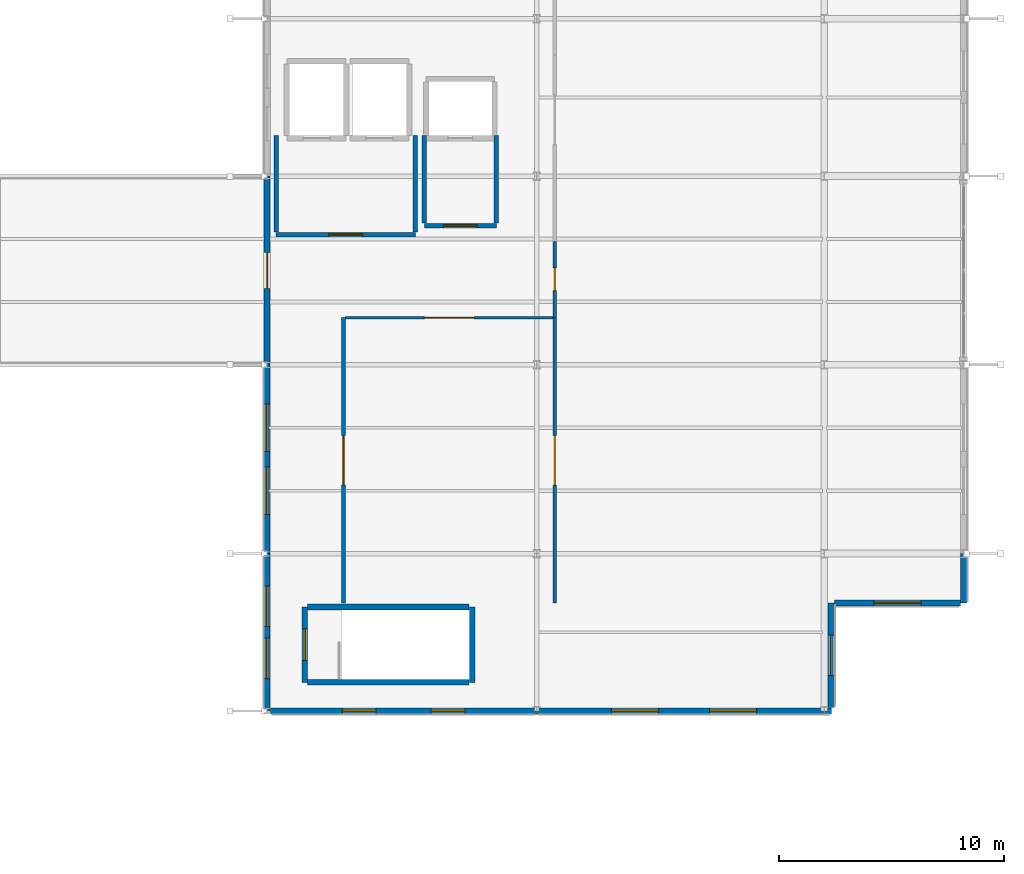
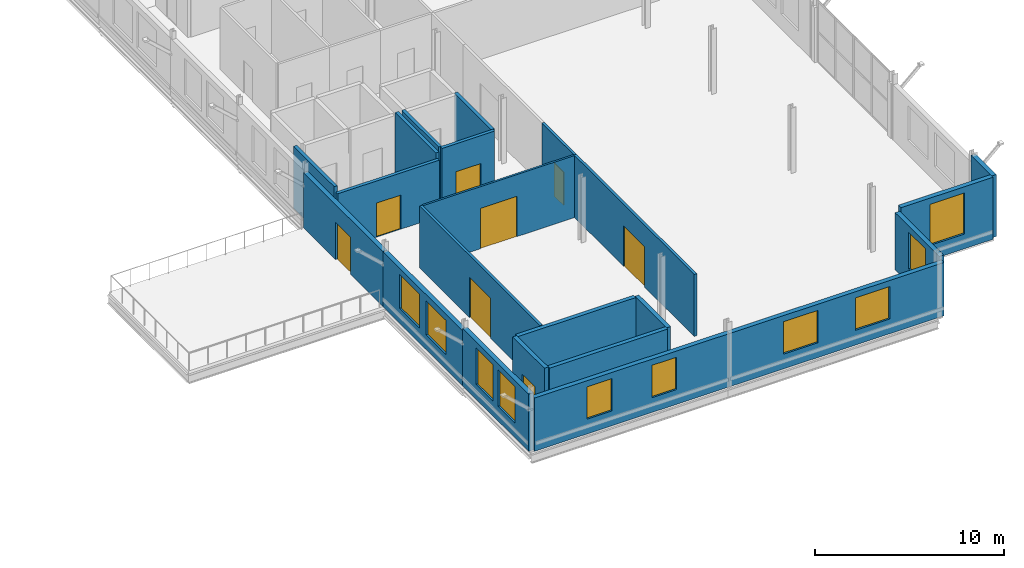
# One storey, part 20 of 25: 22 walls, 10 windows, 8 doors, 18 openings.
"""IFC4 building model written with IfcOpenShell, lengths in metres."""

from ifc_helpers import new_model, si_unit, direction, frame, frame_2d, origin, place, context, subcontext, project, spatial, rectangle, extrude, material, layer, layer_set, type_object, element, fill, save


model = new_model("IFC4")

# Units and contexts
model_context = context("Model", 3, precision=1e-05, world=origin(), true_north=direction((0.0, 1.0)))
body_context = subcontext(model_context, "Body", "Model", "MODEL_VIEW")
ifc_project = project(units=[si_unit("LENGTHUNIT", "METRE"), si_unit("AREAUNIT", "SQUARE_METRE"), si_unit("VOLUMEUNIT", "CUBIC_METRE"), si_unit("PLANEANGLEUNIT", "RADIAN"), si_unit("MASSUNIT", "GRAM", prefix="KILO")], contexts=[model_context])

# Site, building, storey
site_placement = place(None, origin())
site = spatial("IfcSite", under=ifc_project, at=site_placement, CompositionType="ELEMENT")
building_placement = place(site_placement, origin())
building = spatial("IfcBuilding", under=site, at=building_placement, Name="Vekula Escarpment Museum", CompositionType="ELEMENT")
storey_placement = place(building_placement, frame((0.0, 0.0, 26.39990234375)))
storey = spatial("IfcBuildingStorey", under=building, at=storey_placement, Name="L06", CompositionType="ELEMENT", Elevation=26.39990234375)

# Wall, opening, door
ifc_material_1 = material(Name="Concrete C35/45", Category="concrete")
ifc_layer_1 = layer(ifc_material_1, 0.25)
ifc_layer_set_1 = layer_set([ifc_layer_1], Name="Concrete C35/45")
wall_type_1 = type_object("IfcWallType", Name="WL-CORE-250", PredefinedType="SHEAR", material=ifc_layer_set_1)
wall_1_placement = place(storey_placement, frame((168.675048828125, 53.875, 0.0), z_axis=(0.0, 0.0, 1.0), x_axis=(0.0, 1.0, 0.0)))
wall_1 = element("IfcWall", 1, at=wall_1_placement, inside=storey, type_object=wall_type_1, Name="Stair Core Wall ST-02 L06 W", PredefinedType="SHEAR", context=body_context, shape_type="SweptSolid", body=[
    extrude(rectangle(XDim=3.35009765625, YDim=0.25, at=frame_2d((1.675048828125, 0.0))), origin(), (0.0, 0.0, 1.0), 4.0),
])
opening_1_placement = place(wall_1_placement, frame((0.97509765625, 0.0, 0.0)))
opening_1 = element("IfcOpeningElement", 2, at=opening_1_placement, cuts=wall_1, Name="Opening DR-FD60", PredefinedType="OPENING", context=body_context, shape_type="SweptSolid", body=[
    extrude(rectangle(XDim=1.39990234375, YDim=2.199951171875, at=frame_2d((0.699951171875, 1.10009765625))), frame((0.0, 0.135009765625, 0.0), z_axis=(0.0, -1.0, 0.0), x_axis=(1.0, 0.0, 0.0)), (0.0, 0.0, 1.0), 0.27001953125),
])
ifc_material_2 = material(Name="Fire-rated steel stair door", Category="steel")
door_type_1 = type_object("IfcDoorType", Name="DR-STAIR-1400x2200", OperationType="NOTDEFINED", PredefinedType="DOOR", material=ifc_material_2)
door_1_placement = place(opening_1_placement, origin())
door_1 = element("IfcDoor", 3, at=door_1_placement, inside=storey, type_object=door_type_1, Name="Protected Exit Stair Door ST-02 L06", OperationType="SINGLE_SWING_LEFT", OverallHeight=2.199951171875, OverallWidth=1.39990234375, PredefinedType="DOOR", context=body_context, shape_type="SweptSolid", body=[
    extrude(rectangle(XDim=1.39990234375, YDim=2.199951171875, at=frame_2d((0.699951171875, 1.10009765625))), frame((0.0, 0.02490234375, 0.0), z_axis=(0.0, -1.0, 0.0), x_axis=(1.0, 0.0, 0.0)), (0.0, 0.0, 1.0), 0.050048828125),
])
fill(opening_1, door_1)

# Walls
wall_2_placement = place(storey_placement, frame((176.125, 53.875, 0.0), z_axis=(0.0, 0.0, 1.0), x_axis=(0.0, 1.0, 0.0)))
element("IfcWall", 4, at=wall_2_placement, inside=storey, type_object=wall_type_1, Name="Stair Core Wall ST-02 L06 E", PredefinedType="SHEAR", context=body_context, shape_type="SweptSolid", body=[
    extrude(rectangle(XDim=3.35009765625, YDim=0.25, at=frame_2d((1.675048828125, 0.0))), origin(), (0.0, 0.0, 1.0), 4.0),
])
for number, where, z_axis, x_axis, name in (
    (5, (168.803955078125, 53.875, 0.0), (0.0, 0.0, 1.0), (1.0, 0.0, 0.0), "Stair Core Wall ST-02 L06 S"),
    (6, (168.803955078125, 57.22509765625, 0.0), (0.0, 0.0, 1.0), (1.0, 0.0, 0.0), "Stair Core Wall ST-02 L06 N"),
):
    element("IfcWall", number, at=place(storey_placement, frame(where, z_axis=z_axis, x_axis=x_axis)), inside=storey, type_object=wall_type_1, Name=name, PredefinedType="SHEAR", context=body_context, shape_type="SweptSolid", body=[
        extrude(rectangle(XDim=7.192138671875, YDim=0.25, at=frame_2d((3.59619140625, 0.0))), origin(), (0.0, 0.0, 1.0), 4.0),
    ])
ifc_material_3 = material(Name="Inkisi arkosic sandstone masonry", Category="masonry")
ifc_layer_2 = layer(ifc_material_3, 0.280029296875)
ifc_layer_set_2 = layer_set([ifc_layer_2], Name="Inkisi arkosic sandstone masonry")
wall_type_2 = type_object("IfcWallType", Name="WL-CUM-280", PredefinedType="SOLIDWALL", material=ifc_layer_set_2)
wall_3_placement = place(storey_placement, frame((198.0, 59.60009765625, 0.0), z_axis=(0.0, 0.0, 1.0), x_axis=(0.0, -1.0, 0.0)))
element("IfcWall", 7, at=wall_3_placement, inside=storey, type_object=wall_type_2, Name="Exterior Wall WL-EXT-L06-0905", PredefinedType="SOLIDWALL", context=body_context, shape_type="SweptSolid", body=[
    extrude(rectangle(XDim=2.2001953125, YDim=0.280029296875, at=frame_2d((1.10009765625, 0.0))), origin(), (0.0, 0.0, 1.0), 4.0),
])

# Wall, opening, door
wall_4_placement = place(storey_placement, frame((167.0, 68.0, 0.0), z_axis=(0.0, 0.0, 1.0), x_axis=(0.0, 1.0, 0.0)))
wall_4 = element("IfcWall", 8, at=wall_4_placement, inside=storey, type_object=wall_type_2, Name="Exterior Wall WL-EXT-L06-0926", PredefinedType="SOLIDWALL", context=body_context, shape_type="SweptSolid", body=[
    extrude(rectangle(XDim=8.39990234375, YDim=0.280029296875, at=frame_2d((4.199951171875, 0.0))), origin(), (0.0, 0.0, 1.0), 3.545166015625),
])
opening_2_placement = place(wall_4_placement, frame((3.39990234375, 0.0, 0.0)))
opening_2 = element("IfcOpeningElement", 9, at=opening_2_placement, cuts=wall_4, Name="Opening D-TR61", PredefinedType="OPENING", context=body_context, shape_type="SweptSolid", body=[
    extrude(rectangle(XDim=1.60009765625, YDim=2.39990234375, at=frame_2d((0.800048828125, 1.199951171875))), frame((0.0, 0.14990234375, 0.0), z_axis=(0.0, -1.0, 0.0), x_axis=(1.0, 0.0, 0.0)), (0.0, 0.0, 1.0), 0.300048828125),
])
ifc_material_4 = material(Name="Thermally broken glazed terrace door", Category="steel")
door_type_2 = type_object("IfcDoorType", Name="DR-TER-1600x2400", OperationType="NOTDEFINED", PredefinedType="DOOR", material=ifc_material_4)
door_2_placement = place(opening_2_placement, origin())
door_2 = element("IfcDoor", 10, at=door_2_placement, inside=storey, type_object=door_type_2, Name="Tier 5 Panoramic Terrace Door D-TR61", OperationType="SINGLE_SWING_LEFT", OverallHeight=2.39990234375, OverallWidth=1.60009765625, PredefinedType="DOOR", context=body_context, shape_type="SweptSolid", body=[
    extrude(rectangle(XDim=1.60009765625, YDim=2.39990234375, at=frame_2d((0.800048828125, 1.199951171875))), frame((0.0, 0.02490234375, 0.0), z_axis=(0.0, -1.0, 0.0), x_axis=(1.0, 0.0, 0.0)), (0.0, 0.0, 1.0), 0.050048828125),
])
fill(opening_2, door_2)

# Wall, openings, windows
wall_5_placement = place(storey_placement, frame((167.0, 59.60009765625, 0.0), z_axis=(0.0, 0.0, 1.0), x_axis=(0.0, 1.0, 0.0)))
wall_5 = element("IfcWall", 11, at=wall_5_placement, inside=storey, type_object=wall_type_2, Name="Exterior Wall WL-EXT-L06-0927", PredefinedType="SOLIDWALL", context=body_context, shape_type="SweptSolid", body=[
    extrude(rectangle(XDim=8.39990234375, YDim=0.280029296875, at=frame_2d((4.199951171875, 0.0))), origin(), (0.0, 0.0, 1.0), 3.545166015625),
])
opening_3_placement = place(wall_5_placement, frame((1.75, 0.0, 0.949951171875)))
opening_3 = element("IfcOpeningElement", 12, at=opening_3_placement, cuts=wall_5, Name="Opening WN-08", PredefinedType="OPENING", context=body_context, shape_type="SweptSolid", body=[
    extrude(rectangle(XDim=2.10009765625, YDim=2.199951171875, at=frame_2d((1.050048828125, 1.10009765625))), frame((0.0, 0.14990234375, 0.0), z_axis=(0.0, -1.0, 0.0), x_axis=(1.0, 0.0, 0.0)), (0.0, 0.0, 1.0), 0.300048828125),
])
opening_4_placement = place(wall_5_placement, frame((4.550048828125, 0.0, 0.949951171875)))
opening_4 = element("IfcOpeningElement", 13, at=opening_4_placement, cuts=wall_5, Name="Opening WN-08", PredefinedType="OPENING", context=body_context, shape_type="SweptSolid", body=[
    extrude(rectangle(XDim=2.10009765625, YDim=2.199951171875, at=frame_2d((1.050048828125, 1.10009765625))), frame((0.0, 0.14990234375, 0.0), z_axis=(0.0, -1.0, 0.0), x_axis=(1.0, 0.0, 0.0)), (0.0, 0.0, 1.0), 0.300048828125),
])
ifc_material_5 = material(Name="Double solar-control low-E glass", Category="glass")
window_type_1 = type_object("IfcWindowType", Name="WN-CUMBA-21x28", PartitioningType="DOUBLE_PANEL_VERTICAL", PredefinedType="WINDOW", material=ifc_material_5)
window_1_placement = place(opening_3_placement, origin())
window_1 = element("IfcWindow", 14, at=window_1_placement, inside=storey, type_object=window_type_1, Name="Window L06-0531", OverallHeight=2.199951171875, OverallWidth=2.10009765625, PartitioningType="SINGLE_PANEL", PredefinedType="WINDOW", context=body_context, shape_type="SweptSolid", body=[
    extrude(rectangle(XDim=2.10009765625, YDim=2.199951171875, at=frame_2d((1.050048828125, 1.10009765625))), frame((0.0, 0.030029296875, 0.0), z_axis=(0.0, -1.0, 0.0), x_axis=(1.0, 0.0, 0.0)), (0.0, 0.0, 1.0), 0.06005859375),
])
fill(opening_3, window_1)
window_2_placement = place(opening_4_placement, origin())
window_2 = element("IfcWindow", 15, at=window_2_placement, inside=storey, type_object=window_type_1, Name="Window L06-0532", OverallHeight=2.199951171875, OverallWidth=2.10009765625, PartitioningType="SINGLE_PANEL", PredefinedType="WINDOW", context=body_context, shape_type="SweptSolid", body=[
    extrude(rectangle(XDim=2.10009765625, YDim=2.199951171875, at=frame_2d((1.050048828125, 1.10009765625))), frame((0.0, 0.030029296875, 0.0), z_axis=(0.0, -1.0, 0.0), x_axis=(1.0, 0.0, 0.0)), (0.0, 0.0, 1.0), 0.06005859375),
])
fill(opening_4, window_2)

wall_6_placement = place(storey_placement, frame((167.0, 52.60009765625, 0.0), z_axis=(0.0, 0.0, 1.0), x_axis=(0.0, 1.0, 0.0)))
wall_6 = element("IfcWall", 16, at=wall_6_placement, inside=storey, type_object=wall_type_2, Name="Exterior Wall WL-EXT-L06-0928", PredefinedType="SOLIDWALL", context=body_context, shape_type="SweptSolid", body=[
    extrude(rectangle(XDim=7.0, YDim=0.280029296875, at=frame_2d((3.5, 0.0))), origin(), (0.0, 0.0, 1.0), 3.695068359375),
])
opening_5_placement = place(wall_6_placement, frame((1.433349609375, 0.0, 0.949951171875)))
opening_5 = element("IfcOpeningElement", 17, at=opening_5_placement, cuts=wall_6, Name="Opening WN-07", PredefinedType="OPENING", context=body_context, shape_type="SweptSolid", body=[
    extrude(rectangle(XDim=1.800048828125, YDim=2.35009765625, at=frame_2d((0.89990234375, 1.175048828125))), frame((0.0, 0.14990234375, 0.0), z_axis=(0.0, -1.0, 0.0), x_axis=(1.0, 0.0, 0.0)), (0.0, 0.0, 1.0), 0.300048828125),
])
opening_6_placement = place(wall_6_placement, frame((3.7666015625, 0.0, 0.949951171875)))
opening_6 = element("IfcOpeningElement", 18, at=opening_6_placement, cuts=wall_6, Name="Opening WN-07", PredefinedType="OPENING", context=body_context, shape_type="SweptSolid", body=[
    extrude(rectangle(XDim=1.800048828125, YDim=2.35009765625, at=frame_2d((0.89990234375, 1.175048828125))), frame((0.0, 0.14990234375, 0.0), z_axis=(0.0, -1.0, 0.0), x_axis=(1.0, 0.0, 0.0)), (0.0, 0.0, 1.0), 0.300048828125),
])
ifc_material_6 = material(Name="Double solar-control low-E glass", Category="glass")
window_type_2 = type_object("IfcWindowType", Name="WN-CUMBA-18x26", PartitioningType="DOUBLE_PANEL_VERTICAL", PredefinedType="WINDOW", material=ifc_material_6)
window_3_placement = place(opening_5_placement, origin())
window_3 = element("IfcWindow", 19, at=window_3_placement, inside=storey, type_object=window_type_2, Name="Window L06-0533", OverallHeight=2.35009765625, OverallWidth=1.800048828125, PartitioningType="SINGLE_PANEL", PredefinedType="WINDOW", context=body_context, shape_type="SweptSolid", body=[
    extrude(rectangle(XDim=1.800048828125, YDim=2.35009765625, at=frame_2d((0.89990234375, 1.175048828125))), frame((0.0, 0.030029296875, 0.0), z_axis=(0.0, -1.0, 0.0), x_axis=(1.0, 0.0, 0.0)), (0.0, 0.0, 1.0), 0.06005859375),
])
fill(opening_5, window_3)
window_4_placement = place(opening_6_placement, origin())
window_4 = element("IfcWindow", 20, at=window_4_placement, inside=storey, type_object=window_type_2, Name="Window L06-0534", OverallHeight=2.35009765625, OverallWidth=1.800048828125, PartitioningType="SINGLE_PANEL", PredefinedType="WINDOW", context=body_context, shape_type="SweptSolid", body=[
    extrude(rectangle(XDim=1.800048828125, YDim=2.35009765625, at=frame_2d((0.89990234375, 1.175048828125))), frame((0.0, 0.030029296875, 0.0), z_axis=(0.0, -1.0, 0.0), x_axis=(1.0, 0.0, 0.0)), (0.0, 0.0, 1.0), 0.06005859375),
])
fill(opening_6, window_4)

wall_7_placement = place(storey_placement, frame((179.0, 52.60009765625, 0.0), z_axis=(0.0, 0.0, 1.0), x_axis=(-1.0, 0.0, 0.0)))
wall_7 = element("IfcWall", 21, at=wall_7_placement, inside=storey, type_object=wall_type_2, Name="Exterior Wall WL-EXT-L06-0929", PredefinedType="SOLIDWALL", context=body_context, shape_type="SweptSolid", body=[
    extrude(rectangle(XDim=11.85595703125, YDim=0.280029296875, at=frame_2d((5.927978515625, 0.0))), origin(), (0.0, 0.0, 1.0), 3.43505859375),
])
opening_7_placement = place(wall_7_placement, frame((3.201904296875, 0.0, 0.949951171875)))
opening_7 = element("IfcOpeningElement", 22, at=opening_7_placement, cuts=wall_7, Name="Opening WN-06", PredefinedType="OPENING", context=body_context, shape_type="SweptSolid", body=[
    extrude(rectangle(XDim=1.5, YDim=2.090087890625, at=frame_2d((0.75, 1.044921875))), frame((0.0, 0.14990234375, 0.0), z_axis=(0.0, -1.0, 0.0), x_axis=(1.0, 0.0, 0.0)), (0.0, 0.0, 1.0), 0.300048828125),
])
opening_8_placement = place(wall_7_placement, frame((7.154052734375, 0.0, 0.949951171875)))
opening_8 = element("IfcOpeningElement", 23, at=opening_8_placement, cuts=wall_7, Name="Opening WN-06", PredefinedType="OPENING", context=body_context, shape_type="SweptSolid", body=[
    extrude(rectangle(XDim=1.5, YDim=2.090087890625, at=frame_2d((0.75, 1.044921875))), frame((0.0, 0.14990234375, 0.0), z_axis=(0.0, -1.0, 0.0), x_axis=(1.0, 0.0, 0.0)), (0.0, 0.0, 1.0), 0.300048828125),
])
ifc_material_7 = material(Name="Double solar-control low-E glass", Category="glass")
window_type_3 = type_object("IfcWindowType", Name="WN-CUMBA-15x24", PartitioningType="SINGLE_PANEL", PredefinedType="WINDOW", material=ifc_material_7)
window_5_placement = place(opening_7_placement, origin())
window_5 = element("IfcWindow", 24, at=window_5_placement, inside=storey, type_object=window_type_3, Name="Window L06-0535", OverallHeight=2.090087890625, OverallWidth=1.5, PartitioningType="SINGLE_PANEL", PredefinedType="WINDOW", context=body_context, shape_type="SweptSolid", body=[
    extrude(rectangle(XDim=1.5, YDim=2.090087890625, at=frame_2d((0.75, 1.044921875))), frame((0.0, 0.030029296875, 0.0), z_axis=(0.0, -1.0, 0.0), x_axis=(1.0, 0.0, 0.0)), (0.0, 0.0, 1.0), 0.06005859375),
])
fill(opening_7, window_5)
window_6_placement = place(opening_8_placement, origin())
window_6 = element("IfcWindow", 25, at=window_6_placement, inside=storey, type_object=window_type_3, Name="Window L06-0536", OverallHeight=2.090087890625, OverallWidth=1.5, PartitioningType="SINGLE_PANEL", PredefinedType="WINDOW", context=body_context, shape_type="SweptSolid", body=[
    extrude(rectangle(XDim=1.5, YDim=2.090087890625, at=frame_2d((0.75, 1.044921875))), frame((0.0, 0.030029296875, 0.0), z_axis=(0.0, -1.0, 0.0), x_axis=(1.0, 0.0, 0.0)), (0.0, 0.0, 1.0), 0.06005859375),
])
fill(opening_8, window_6)

wall_8_placement = place(storey_placement, frame((192.110107421875, 52.60009765625, 0.0), z_axis=(0.0, 0.0, 1.0), x_axis=(-1.0, 0.0, 0.0)))
wall_8 = element("IfcWall", 26, at=wall_8_placement, inside=storey, type_object=wall_type_2, Name="Exterior Wall WL-EXT-L06-0930", PredefinedType="SOLIDWALL", context=body_context, shape_type="SweptSolid", body=[
    extrude(rectangle(XDim=13.110107421875, YDim=0.280029296875, at=frame_2d((6.55517578125, 0.0))), origin(), (0.0, 0.0, 1.0), 3.43505859375),
])
opening_9_placement = place(wall_8_placement, frame((3.320068359375, 0.0, 0.949951171875)))
opening_9 = element("IfcOpeningElement", 27, at=opening_9_placement, cuts=wall_8, Name="Opening WN-08", PredefinedType="OPENING", context=body_context, shape_type="SweptSolid", body=[
    extrude(rectangle(XDim=2.10009765625, YDim=2.090087890625, at=frame_2d((1.050048828125, 1.044921875))), frame((0.0, 0.14990234375, 0.0), z_axis=(0.0, -1.0, 0.0), x_axis=(1.0, 0.0, 0.0)), (0.0, 0.0, 1.0), 0.300048828125),
])
opening_10_placement = place(wall_8_placement, frame((7.68994140625, 0.0, 0.949951171875)))
opening_10 = element("IfcOpeningElement", 28, at=opening_10_placement, cuts=wall_8, Name="Opening WN-08", PredefinedType="OPENING", context=body_context, shape_type="SweptSolid", body=[
    extrude(rectangle(XDim=2.10009765625, YDim=2.090087890625, at=frame_2d((1.050048828125, 1.044921875))), frame((0.0, 0.14990234375, 0.0), z_axis=(0.0, -1.0, 0.0), x_axis=(1.0, 0.0, 0.0)), (0.0, 0.0, 1.0), 0.300048828125),
])
window_7_placement = place(opening_9_placement, origin())
window_7 = element("IfcWindow", 29, at=window_7_placement, inside=storey, type_object=window_type_1, Name="Window L06-0537", OverallHeight=2.090087890625, OverallWidth=2.10009765625, PartitioningType="SINGLE_PANEL", PredefinedType="WINDOW", context=body_context, shape_type="SweptSolid", body=[
    extrude(rectangle(XDim=2.10009765625, YDim=2.090087890625, at=frame_2d((1.050048828125, 1.044921875))), frame((0.0, 0.030029296875, 0.0), z_axis=(0.0, -1.0, 0.0), x_axis=(1.0, 0.0, 0.0)), (0.0, 0.0, 1.0), 0.06005859375),
])
fill(opening_9, window_7)
window_8_placement = place(opening_10_placement, origin())
window_8 = element("IfcWindow", 30, at=window_8_placement, inside=storey, type_object=window_type_1, Name="Window L06-0538", OverallHeight=2.090087890625, OverallWidth=2.10009765625, PartitioningType="SINGLE_PANEL", PredefinedType="WINDOW", context=body_context, shape_type="SweptSolid", body=[
    extrude(rectangle(XDim=2.10009765625, YDim=2.090087890625, at=frame_2d((1.050048828125, 1.044921875))), frame((0.0, 0.030029296875, 0.0), z_axis=(0.0, -1.0, 0.0), x_axis=(1.0, 0.0, 0.0)), (0.0, 0.0, 1.0), 0.06005859375),
])
fill(opening_10, window_8)

# Wall, opening, window
wall_9_placement = place(storey_placement, frame((192.110107421875, 57.39990234375, 0.0), z_axis=(0.0, 0.0, 1.0), x_axis=(0.0, -1.0, 0.0)))
wall_9 = element("IfcWall", 31, at=wall_9_placement, inside=storey, type_object=wall_type_2, Name="Exterior Wall WL-EXT-L06-0931", PredefinedType="SOLIDWALL", context=body_context, shape_type="SweptSolid", body=[
    extrude(rectangle(XDim=4.656005859375, YDim=0.280029296875, at=frame_2d((2.328125, 0.0))), origin(), (0.0, 0.0, 1.0), 3.695068359375),
])
opening_11_placement = place(wall_9_placement, frame((1.427978515625, 0.0, 0.949951171875)))
opening_11 = element("IfcOpeningElement", 32, at=opening_11_placement, cuts=wall_9, Name="Opening WN-07", PredefinedType="OPENING", context=body_context, shape_type="SweptSolid", body=[
    extrude(rectangle(XDim=1.800048828125, YDim=2.35009765625, at=frame_2d((0.89990234375, 1.175048828125))), frame((0.0, 0.14990234375, 0.0), z_axis=(0.0, -1.0, 0.0), x_axis=(1.0, 0.0, 0.0)), (0.0, 0.0, 1.0), 0.300048828125),
])
window_9_placement = place(opening_11_placement, origin())
window_9 = element("IfcWindow", 33, at=window_9_placement, inside=storey, type_object=window_type_2, Name="Window L06-0539", OverallHeight=2.35009765625, OverallWidth=1.800048828125, PartitioningType="SINGLE_PANEL", PredefinedType="WINDOW", context=body_context, shape_type="SweptSolid", body=[
    extrude(rectangle(XDim=1.800048828125, YDim=2.35009765625, at=frame_2d((0.89990234375, 1.175048828125))), frame((0.0, 0.030029296875, 0.0), z_axis=(0.0, -1.0, 0.0), x_axis=(1.0, 0.0, 0.0)), (0.0, 0.0, 1.0), 0.06005859375),
])
fill(opening_11, window_9)

wall_10_placement = place(storey_placement, frame((197.85595703125, 57.39990234375, 0.0), z_axis=(0.0, 0.0, 1.0), x_axis=(-1.0, 0.0, 0.0)))
wall_10 = element("IfcWall", 34, at=wall_10_placement, inside=storey, type_object=wall_type_2, Name="Exterior Wall WL-EXT-L06-0932", PredefinedType="SOLIDWALL", context=body_context, shape_type="SweptSolid", body=[
    extrude(rectangle(XDim=5.60205078125, YDim=0.280029296875, at=frame_2d((2.801025390625, 0.0))), origin(), (0.0, 0.0, 1.0), 4.0),
])
opening_12_placement = place(wall_10_placement, frame((1.7509765625, 0.0, 0.949951171875)))
opening_12 = element("IfcOpeningElement", 35, at=opening_12_placement, cuts=wall_10, Name="Opening WN-08", PredefinedType="OPENING", context=body_context, shape_type="SweptSolid", body=[
    extrude(rectangle(XDim=2.10009765625, YDim=2.64990234375, at=frame_2d((1.050048828125, 1.324951171875))), frame((0.0, 0.14990234375, 0.0), z_axis=(0.0, -1.0, 0.0), x_axis=(1.0, 0.0, 0.0)), (0.0, 0.0, 1.0), 0.300048828125),
])
window_10_placement = place(opening_12_placement, origin())
window_10 = element("IfcWindow", 36, at=window_10_placement, inside=storey, type_object=window_type_1, Name="Window L06-0540", OverallHeight=2.64990234375, OverallWidth=2.10009765625, PartitioningType="SINGLE_PANEL", PredefinedType="WINDOW", context=body_context, shape_type="SweptSolid", body=[
    extrude(rectangle(XDim=2.10009765625, YDim=2.64990234375, at=frame_2d((1.050048828125, 1.324951171875))), frame((0.0, 0.030029296875, 0.0), z_axis=(0.0, -1.0, 0.0), x_axis=(1.0, 0.0, 0.0)), (0.0, 0.0, 1.0), 0.06005859375),
])
fill(opening_12, window_10)

# Wall, opening, door
ifc_material_8 = material(Name="Concrete C35/45", Category="concrete")
ifc_layer_3 = layer(ifc_material_8, 0.199951171875)
ifc_layer_set_3 = layer_set([ifc_layer_3], Name="Concrete C35/45")
wall_type_3 = type_object("IfcWallType", Name="WL-FFL-200", PredefinedType="PARTITIONING", material=ifc_layer_set_3)
wall_11_placement = place(storey_placement, frame((167.39990234375, 73.800048828125, 0.0), z_axis=(0.0, 0.0, 1.0), x_axis=(1.0, 0.0, 0.0)))
wall_11 = element("IfcWall", 37, at=wall_11_placement, inside=storey, type_object=wall_type_3, Name="Lift Lobby Wall LF-01 L06 S", PredefinedType="PARTITIONING", context=body_context, shape_type="SweptSolid", body=[
    extrude(rectangle(XDim=6.2001953125, YDim=0.199951171875, at=frame_2d((3.10009765625, 0.0))), origin(), (0.0, 0.0, 1.0), 3.625),
])
opening_13_placement = place(wall_11_placement, frame((2.35009765625, 0.0, 0.0)))
opening_13 = element("IfcOpeningElement", 38, at=opening_13_placement, cuts=wall_11, Name="Opening DR-FD60L", PredefinedType="OPENING", context=body_context, shape_type="SweptSolid", body=[
    extrude(rectangle(XDim=1.5, YDim=2.199951171875, at=frame_2d((0.75, 1.10009765625))), frame((0.0, 0.10986328125, 0.0), z_axis=(0.0, -1.0, 0.0), x_axis=(1.0, 0.0, 0.0)), (0.0, 0.0, 1.0), 0.219970703125),
])
ifc_material_9 = material(Name="Fire-rated glazed lobby door", Category="steel")
door_type_3 = type_object("IfcDoorType", Name="DR-FFLOB-1500x2200", OperationType="NOTDEFINED", PredefinedType="DOOR", material=ifc_material_9)
door_3_placement = place(opening_13_placement, origin())
door_3 = element("IfcDoor", 39, at=door_3_placement, inside=storey, type_object=door_type_3, Name="Lift Lobby Fire Door LF-01 L06", OperationType="SINGLE_SWING_LEFT", OverallHeight=2.199951171875, OverallWidth=1.5, PredefinedType="DOOR", context=body_context, shape_type="SweptSolid", body=[
    extrude(rectangle(XDim=1.5, YDim=2.199951171875, at=frame_2d((0.75, 1.10009765625))), frame((0.0, 0.02490234375, 0.0), z_axis=(0.0, -1.0, 0.0), x_axis=(1.0, 0.0, 0.0)), (0.0, 0.0, 1.0), 0.050048828125),
])
fill(opening_13, door_3)

# Walls
for number, where, z_axis, x_axis, name in (
    (40, (167.39990234375, 73.904052734375, 0.0), (0.0, 0.0, 1.0), (0.0, 1.0, 0.0), "Lift Lobby Wall LF-01 L06 W"),
    (41, (173.60009765625, 73.904052734375, 0.0), (0.0, 0.0, 1.0), (0.0, 1.0, 0.0), "Lift Lobby Wall LF-01 L06 E"),
):
    element("IfcWall", number, at=place(storey_placement, frame(where, z_axis=z_axis, x_axis=x_axis)), inside=storey, type_object=wall_type_3, Name=name, PredefinedType="PARTITIONING", context=body_context, shape_type="SweptSolid", body=[
        extrude(rectangle(XDim=4.2958984375, YDim=0.199951171875, at=frame_2d((2.14794921875, 0.0))), origin(), (0.0, 0.0, 1.0), 4.0),
    ])

# Wall, opening, door
wall_12_placement = place(storey_placement, frame((174.0, 74.199951171875, 0.0), z_axis=(0.0, 0.0, 1.0), x_axis=(1.0, 0.0, 0.0)))
wall_12 = element("IfcWall", 42, at=wall_12_placement, inside=storey, type_object=wall_type_3, Name="Lift Lobby Wall LP-03 L06 S", PredefinedType="PARTITIONING", context=body_context, shape_type="SweptSolid", body=[
    extrude(rectangle(XDim=3.199951171875, YDim=0.199951171875, at=frame_2d((1.60009765625, 0.0))), origin(), (0.0, 0.0, 1.0), 4.0),
])
opening_14_placement = place(wall_12_placement, frame((0.85009765625, 0.0, 0.0)))
opening_14 = element("IfcOpeningElement", 43, at=opening_14_placement, cuts=wall_12, Name="Opening DR-FD60L", PredefinedType="OPENING", context=body_context, shape_type="SweptSolid", body=[
    extrude(rectangle(XDim=1.5, YDim=2.199951171875, at=frame_2d((0.75, 1.10009765625))), frame((0.0, 0.10986328125, 0.0), z_axis=(0.0, -1.0, 0.0), x_axis=(1.0, 0.0, 0.0)), (0.0, 0.0, 1.0), 0.219970703125),
])
door_4_placement = place(opening_14_placement, origin())
door_4 = element("IfcDoor", 44, at=door_4_placement, inside=storey, type_object=door_type_3, Name="Lift Lobby Fire Door LP-03 L06", OperationType="SINGLE_SWING_RIGHT", OverallHeight=2.199951171875, OverallWidth=1.5, PredefinedType="DOOR", context=body_context, shape_type="SweptSolid", body=[
    extrude(rectangle(XDim=1.5, YDim=2.199951171875, at=frame_2d((0.75, 1.10009765625))), frame((0.0, 0.02490234375, 0.0), z_axis=(0.0, -1.0, 0.0), x_axis=(1.0, 0.0, 0.0)), (0.0, 0.0, 1.0), 0.050048828125),
])
fill(opening_14, door_4)

# Walls
for number, where, z_axis, x_axis, name in (
    (45, (174.0, 74.303955078125, 0.0), (0.0, 0.0, 1.0), (0.0, 1.0, 0.0), "Lift Lobby Wall LP-03 L06 W"),
    (46, (177.199951171875, 74.303955078125, 0.0), (0.0, 0.0, 1.0), (0.0, 1.0, 0.0), "Lift Lobby Wall LP-03 L06 E"),
):
    element("IfcWall", number, at=place(storey_placement, frame(where, z_axis=z_axis, x_axis=x_axis)), inside=storey, type_object=wall_type_3, Name=name, PredefinedType="PARTITIONING", context=body_context, shape_type="SweptSolid", body=[
        extrude(rectangle(XDim=3.89599609375, YDim=0.199951171875, at=frame_2d((1.947998046875, 0.0))), origin(), (0.0, 0.0, 1.0), 4.0),
    ])

# Wall, opening, door
ifc_material_10 = material(Name="Lightweight studio partition", Category="gypsum")
ifc_layer_4 = layer(ifc_material_10, 0.1201171875)
ifc_layer_set_4 = layer_set([ifc_layer_4], Name="Lightweight studio partition")
wall_type_4 = type_object("IfcWallType", Name="WL-PART-120", PredefinedType="PARTITIONING", material=ifc_layer_set_4)
wall_13_placement = place(storey_placement, frame((170.48388671875, 70.10009765625, 0.0), z_axis=(0.0, 0.0, 1.0), x_axis=(1.0, 0.0, 0.0)))
wall_13 = element("IfcWall", 47, at=wall_13_placement, inside=storey, type_object=wall_type_4, Name="Interior Partition WL-INT-L06-0003", PredefinedType="PARTITIONING", context=body_context, shape_type="SweptSolid", body=[
    extrude(rectangle(XDim=9.237060546875, YDim=0.1201171875, at=frame_2d((4.61865234375, 0.0))), origin(), (0.0, 0.0, 1.0), 4.0),
])
opening_15_placement = place(wall_13_placement, frame((3.5185546875, 0.0, 0.0)))
opening_15 = element("IfcOpeningElement", 48, at=opening_15_placement, cuts=wall_13, Name="Opening DR-GL22", PredefinedType="OPENING", context=body_context, shape_type="SweptSolid", body=[
    extrude(rectangle(XDim=2.199951171875, YDim=2.60009765625, at=frame_2d((1.10009765625, 1.300048828125))), frame((0.0, 0.070068359375, 0.0), z_axis=(0.0, -1.0, 0.0), x_axis=(1.0, 0.0, 0.0)), (0.0, 0.0, 1.0), 0.14013671875),
])
ifc_material_11 = material(Name="Double acoustic timber gallery door", Category="wood")
door_type_4 = type_object("IfcDoorType", Name="DR-GAL-2200x2600", OperationType="NOTDEFINED", PredefinedType="DOOR", material=ifc_material_11)
door_5_placement = place(opening_15_placement, origin())
door_5 = element("IfcDoor", 49, at=door_5_placement, inside=storey, type_object=door_type_4, Name="Interior Door L06-003", OperationType="SINGLE_SWING_LEFT", OverallHeight=2.60009765625, OverallWidth=2.199951171875, PredefinedType="DOOR", context=body_context, shape_type="SweptSolid", body=[
    extrude(rectangle(XDim=2.199951171875, YDim=2.60009765625, at=frame_2d((1.10009765625, 1.300048828125))), frame((0.0, 0.02490234375, 0.0), z_axis=(0.0, -1.0, 0.0), x_axis=(1.0, 0.0, 0.0)), (0.0, 0.0, 1.0), 0.050048828125),
])
fill(opening_15, door_5)

ifc_material_12 = material(Name="Gypsum board dry-lined partition", Category="gypsum")
ifc_layer_5 = layer(ifc_material_12, 0.14990234375)
ifc_layer_set_5 = layer_set([ifc_layer_5], Name="Gypsum board dry-lined partition")
wall_type_5 = type_object("IfcWallType", Name="WL-PART-150", PredefinedType="PARTITIONING", material=ifc_layer_set_5)
wall_14_placement = place(storey_placement, frame((179.800048828125, 70.10009765625, 0.0), z_axis=(0.0, 0.0, 1.0), x_axis=(0.0, 1.0, 0.0)))
wall_14 = element("IfcWall", 50, at=wall_14_placement, inside=storey, type_object=wall_type_5, Name="Interior Partition WL-INT-L06-0002", PredefinedType="PARTITIONING", context=body_context, shape_type="SweptSolid", body=[
    extrude(rectangle(XDim=3.39990234375, YDim=0.14990234375, at=frame_2d((1.699951171875, 0.0))), origin(), (0.0, 0.0, 1.0), 4.0),
])
opening_16_placement = place(wall_14_placement, frame((1.199951171875, 0.0, 0.0)))
opening_16 = element("IfcOpeningElement", 51, at=opening_16_placement, cuts=wall_14, Name="Opening DR-OF10", PredefinedType="OPENING", context=body_context, shape_type="SweptSolid", body=[
    extrude(rectangle(XDim=1.0, YDim=2.14990234375, at=frame_2d((0.5, 1.074951171875))), frame((0.0, 0.0849609375, 0.0), z_axis=(0.0, -1.0, 0.0), x_axis=(1.0, 0.0, 0.0)), (0.0, 0.0, 1.0), 0.169921875),
])
ifc_material_13 = material(Name="Solid core timber study door", Category="wood")
door_type_5 = type_object("IfcDoorType", Name="DR-OFF-1000x2150", OperationType="NOTDEFINED", PredefinedType="DOOR", material=ifc_material_13)
door_6_placement = place(opening_16_placement, origin())
door_6 = element("IfcDoor", 52, at=door_6_placement, inside=storey, type_object=door_type_5, Name="Interior Door L06-002", OperationType="SINGLE_SWING_RIGHT", OverallHeight=2.14990234375, OverallWidth=1.0, PredefinedType="DOOR", context=body_context, shape_type="SweptSolid", body=[
    extrude(rectangle(XDim=1.0, YDim=2.14990234375, at=frame_2d((0.5, 1.074951171875))), frame((0.0, 0.02490234375, 0.0), z_axis=(0.0, -1.0, 0.0), x_axis=(1.0, 0.0, 0.0)), (0.0, 0.0, 1.0), 0.050048828125),
])
fill(opening_16, door_6)

ifc_material_14 = material(Name="Gypsum board gallery partition", Category="gypsum")
ifc_layer_6 = layer(ifc_material_14, 0.159912109375)
ifc_layer_set_6 = layer_set([ifc_layer_6], Name="Gypsum board gallery partition")
wall_type_6 = type_object("IfcWallType", Name="WL-PART-160", PredefinedType="PARTITIONING", material=ifc_layer_set_6)
wall_15_placement = place(storey_placement, frame((170.39990234375, 57.39990234375, 0.0), z_axis=(0.0, 0.0, 1.0), x_axis=(0.0, 1.0, 0.0)))
wall_15 = element("IfcWall", 53, at=wall_15_placement, inside=storey, type_object=wall_type_6, Name="Interior Partition WL-INT-L06-0001", PredefinedType="PARTITIONING", context=body_context, shape_type="SweptSolid", body=[
    extrude(rectangle(XDim=12.7001953125, YDim=0.159912109375, at=frame_2d((6.35009765625, 0.0))), origin(), (0.0, 0.0, 1.0), 4.0),
])
opening_17_placement = place(wall_15_placement, frame((5.25, 0.0, 0.0)))
opening_17 = element("IfcOpeningElement", 54, at=opening_17_placement, cuts=wall_15, Name="Opening DR-GL22", PredefinedType="OPENING", context=body_context, shape_type="SweptSolid", body=[
    extrude(rectangle(XDim=2.199951171875, YDim=2.60009765625, at=frame_2d((1.10009765625, 1.300048828125))), frame((0.0, 0.08984375, 0.0), z_axis=(0.0, -1.0, 0.0), x_axis=(1.0, 0.0, 0.0)), (0.0, 0.0, 1.0), 0.179931640625),
])
door_7_placement = place(opening_17_placement, origin())
door_7 = element("IfcDoor", 55, at=door_7_placement, inside=storey, type_object=door_type_4, Name="Interior Door L06-001", OperationType="SINGLE_SWING_LEFT", OverallHeight=2.60009765625, OverallWidth=2.199951171875, PredefinedType="DOOR", context=body_context, shape_type="SweptSolid", body=[
    extrude(rectangle(XDim=2.199951171875, YDim=2.60009765625, at=frame_2d((1.10009765625, 1.300048828125))), frame((0.0, 0.02490234375, 0.0), z_axis=(0.0, -1.0, 0.0), x_axis=(1.0, 0.0, 0.0)), (0.0, 0.0, 1.0), 0.050048828125),
])
fill(opening_17, door_7)

wall_16_placement = place(storey_placement, frame((179.800048828125, 57.39990234375, 0.0), z_axis=(0.0, 0.0, 1.0), x_axis=(0.0, 1.0, 0.0)))
wall_16 = element("IfcWall", 56, at=wall_16_placement, inside=storey, type_object=wall_type_6, Name="Interior Partition WL-INT-L06-0016", PredefinedType="PARTITIONING", context=body_context, shape_type="SweptSolid", body=[
    extrude(rectangle(XDim=12.7001953125, YDim=0.159912109375, at=frame_2d((6.35009765625, 0.0))), origin(), (0.0, 0.0, 1.0), 4.0),
])
opening_18_placement = place(wall_16_placement, frame((5.25, 0.0, 0.0)))
opening_18 = element("IfcOpeningElement", 57, at=opening_18_placement, cuts=wall_16, Name="Opening DR-GL22", PredefinedType="OPENING", context=body_context, shape_type="SweptSolid", body=[
    extrude(rectangle(XDim=2.199951171875, YDim=2.60009765625, at=frame_2d((1.10009765625, 1.300048828125))), frame((0.0, 0.08984375, 0.0), z_axis=(0.0, -1.0, 0.0), x_axis=(1.0, 0.0, 0.0)), (0.0, 0.0, 1.0), 0.179931640625),
])
door_8_placement = place(opening_18_placement, origin())
door_8 = element("IfcDoor", 58, at=door_8_placement, inside=storey, type_object=door_type_4, Name="Interior Door L06-015", OperationType="SINGLE_SWING_LEFT", OverallHeight=2.60009765625, OverallWidth=2.199951171875, PredefinedType="DOOR", context=body_context, shape_type="SweptSolid", body=[
    extrude(rectangle(XDim=2.199951171875, YDim=2.60009765625, at=frame_2d((1.10009765625, 1.300048828125))), frame((0.0, 0.02490234375, 0.0), z_axis=(0.0, -1.0, 0.0), x_axis=(1.0, 0.0, 0.0)), (0.0, 0.0, 1.0), 0.050048828125),
])
fill(opening_18, door_8)

save(model, "model.ifc")
